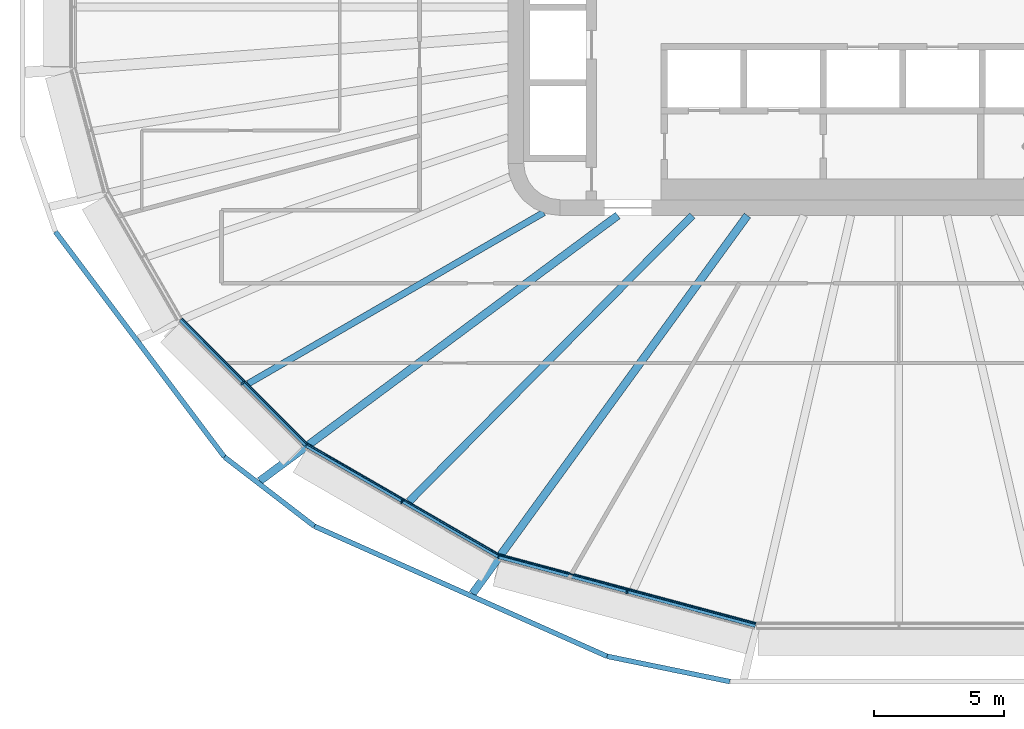
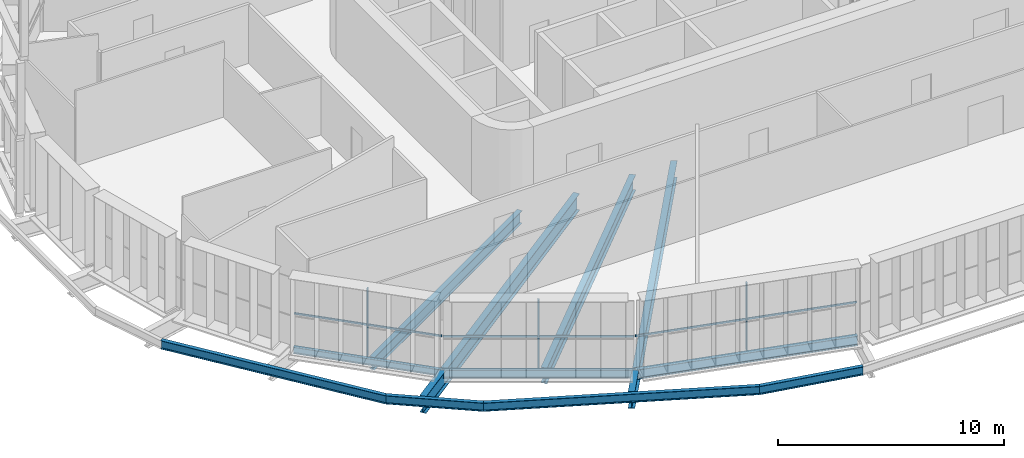
# One storey, part 1 of 25: 11 beams, 6 members, 3 elements without a shape of their own.
"""IFC4 building model written with IfcOpenShell, lengths in metres."""

import ifcopenshell
import ifcopenshell.guid

model = None  # the IFC model being written
_history = None  # IfcOwnerHistory: only IFC2X3 demands one
_inside = {}  # id of a spatial element -> (the spatial element, [elements in it])
_under = {}  # id of a project, library or spatial element -> (it, [spatial elements below it])
_declared = {}  # id of a project -> (the project, [libraries it declares])
_typed = {}  # id of a type object -> (the type object, [elements of that type])
_made_of = {}  # id of a material, layer set ... -> (it, [elements and type objects made of it])


def new_model(schema):
    """Start an empty IFC model of exactly this schema.

    Asked for "IFC4X3", IfcOpenShell would pick the latest addendum, in which some entities
    have other attributes; the version numbers below select the first issue.
    IFC2X3 requires an IfcOwnerHistory on every rooted entity: one is made here for all.
    """
    global model, _history
    if schema == "IFC4X3":
        model = ifcopenshell.file(schema_version=(4, 3, 0, 0))
    else:
        model = ifcopenshell.file(schema=schema)
    _inside.clear()
    _under.clear()
    _declared.clear()
    _typed.clear()
    _made_of.clear()
    _history = None
    if model.schema == "IFC2X3":
        org = make("IfcOrganization", Name="unknown")
        user = make(
            "IfcPersonAndOrganization",
            ThePerson=make("IfcPerson", FamilyName="unknown"),
            TheOrganization=org,
        )
        app = make(
            "IfcApplication",
            ApplicationDeveloper=org,
            Version="unknown",
            ApplicationFullName="unknown",
            ApplicationIdentifier="unknown",
        )
        _history = make(
            "IfcOwnerHistory",
            OwningUser=user,
            OwningApplication=app,
            ChangeAction="ADDED",
            CreationDate=0,
        )
    return model


def make(cls, **values):
    """One entity of the class cls with the attributes given. An attribute that is None is left unset."""
    return model.create_entity(
        cls, **{name: value for name, value in values.items() if value is not None}
    )


def rooted(cls, **values):
    """An entity with a GlobalId (a new one), such as an element, a storey or a relation."""
    return make(cls, GlobalId=ifcopenshell.guid.new(), OwnerHistory=_history, **values)


def si_unit(unit_type, name, prefix=None):
    """IfcSIUnit, for example si_unit("LENGTHUNIT", "METRE", prefix="MILLI")."""
    return make("IfcSIUnit", UnitType=unit_type, Prefix=prefix, Name=name)


def assignment(units):
    """IfcUnitAssignment: the units of a project."""
    return None if units is None else make("IfcUnitAssignment", Units=units)


def point(xyz):
    """IfcCartesianPoint."""
    return None if xyz is None else make("IfcCartesianPoint", Coordinates=xyz)


def direction(xyz):
    """IfcDirection."""
    return None if xyz is None else make("IfcDirection", DirectionRatios=xyz)


def frame(location, z_axis=None, x_axis=None):
    """IfcAxis2Placement3D, a coordinate frame: its origin and axes. An axis left out is left unset."""
    return make(
        "IfcAxis2Placement3D",
        Location=point(location),
        Axis=direction(z_axis),
        RefDirection=direction(x_axis),
    )


def frame_2d(location, x_axis=None):
    """IfcAxis2Placement2D, a coordinate frame in the plane: its origin and x axis."""
    return make(
        "IfcAxis2Placement2D", Location=point(location), RefDirection=direction(x_axis)
    )


def origin():
    """The frame at (0, 0, 0) with its axes left unset."""
    return frame((0.0, 0.0, 0.0))


def origin_2d():
    """The frame at (0, 0) in the plane with its x axis left unset."""
    return frame_2d((0.0, 0.0))


def place(relative_to, where):
    """IfcLocalPlacement: puts the frame where relative to a parent placement (None: the world)."""
    return make(
        "IfcLocalPlacement", PlacementRelTo=relative_to, RelativePlacement=where
    )


def context(
    kind, dimensions, precision=None, world=None, true_north=None, identifier=None
):
    """IfcGeometricRepresentationContext, for example the 3D "Model" context."""
    return make(
        "IfcGeometricRepresentationContext",
        ContextIdentifier=identifier,
        ContextType=kind,
        CoordinateSpaceDimension=dimensions,
        Precision=precision,
        WorldCoordinateSystem=world,
        TrueNorth=true_north,
    )


def subcontext(parent, identifier, kind, view, scale=None):
    """IfcGeometricRepresentationSubContext, for example "Body" below "Model"."""
    return make(
        "IfcGeometricRepresentationSubContext",
        ContextIdentifier=identifier,
        ContextType=kind,
        ParentContext=parent,
        TargetScale=scale,
        TargetView=view,
    )


def project(units=None, contexts=None):
    """IfcProject with its units and contexts."""
    return rooted(
        "IfcProject",
        Name="project",
        RepresentationContexts=contexts,
        UnitsInContext=assignment(units),
    )


def spatial(cls, under=None, at=None, **own):
    """A site, building, storey or space (cls), placed at a placement, below another one or the project."""
    s = rooted(cls, ObjectPlacement=at, **own)
    if under is not None:
        _under.setdefault(under.id(), (under, []))[1].append(s)
    return s


def profile(cls, at=None, kind="AREA", **sizes):
    """A parametric profile (cls). Its sizes go by their IFC names, for example OverallWidth=200.0."""
    return make(cls, ProfileType=kind, Position=at, **sizes)


def rectangle(**sizes):
    """IfcRectangleProfileDef."""
    return profile("IfcRectangleProfileDef", **sizes)


def i_section(**sizes):
    """IfcIShapeProfileDef."""
    return profile("IfcIShapeProfileDef", **sizes)


def extrude(swept, where, along, depth):
    """IfcExtrudedAreaSolid: the profile swept, set in the frame where, extruded along a direction by depth."""
    return make(
        "IfcExtrudedAreaSolid",
        SweptArea=swept,
        Position=where,
        ExtrudedDirection=direction(along),
        Depth=depth,
    )


def shape(context_of_items, identifier, shape_type, items):
    """IfcShapeRepresentation: the items that make up one representation, for example the "Body"."""
    return make(
        "IfcShapeRepresentation",
        ContextOfItems=context_of_items,
        RepresentationIdentifier=identifier,
        RepresentationType=shape_type,
        Items=items,
    )


def material(Name=None, Category=None):
    """IfcMaterial."""
    return make("IfcMaterial", Name=Name, Category=Category)


def layer(
    of_material, thickness, ventilated=None, Name=None, Category=None, Priority=None
):
    """IfcMaterialLayer: one layer of a wall or slab, of a material (None: an air gap)."""
    return make(
        "IfcMaterialLayer",
        Material=of_material,
        LayerThickness=thickness,
        IsVentilated=ventilated,
        Name=Name,
        Category=Category,
        Priority=Priority,
    )


def layer_set(layers, Name=None):
    """IfcMaterialLayerSet."""
    return make("IfcMaterialLayerSet", MaterialLayers=layers, LayerSetName=Name)


def material_profile(
    of_material, cross_section, Name=None, Category=None, Priority=None
):
    """IfcMaterialProfile: a cross section and its material."""
    return make(
        "IfcMaterialProfile",
        Name=Name,
        Material=of_material,
        Profile=cross_section,
        Priority=Priority,
        Category=Category,
    )


def profile_set(profiles, Name=None, composite=None):
    """IfcMaterialProfileSet."""
    return make(
        "IfcMaterialProfileSet",
        Name=Name,
        MaterialProfiles=profiles,
        CompositeProfile=composite,
    )


def made_of(thing, what):
    """Note that an element or type object is made of a material, layer set ...; save() writes the relation."""
    if what is not None:
        _made_of.setdefault(what.id(), (what, []))[1].append(thing)
    return thing


def type_object(cls, material=None, **own):
    """A type object (cls), such as IfcWallType, which elements share."""
    return made_of(rooted(cls, **own), material)


def element(
    cls,
    number,
    at=None,
    inside=None,
    cuts=None,
    type_object=None,
    material=None,
    context=None,
    identifier="Body",
    shape_type=None,
    held_by="IfcProductDefinitionShape",
    body=None,
    shapes=None,
    **own,
):
    """One element of the class cls, such as IfcWall. Its Tag is "e" and its number.

    at: its placement. inside: the storey or other place that contains it. cuts: it is an
    opening in that element (IfcRelVoidsElement). A single representation is given by context,
    identifier, shape_type and body (its items); several are given by shapes. held_by: the class
    of the entity that holds the representations. save() writes the other relations.
    """
    e = rooted(cls, Tag="e%d" % number, ObjectPlacement=at, **own)
    if body is not None:
        shapes = [shape(context, identifier, shape_type, body)]
    if shapes is not None:
        e.Representation = make(held_by, Representations=shapes)
    if inside is not None:
        _inside.setdefault(inside.id(), (inside, []))[1].append(e)
    if cuts is not None:
        rooted(
            "IfcRelVoidsElement", RelatingBuildingElement=cuts, RelatedOpeningElement=e
        )
    if type_object is not None:
        _typed.setdefault(type_object.id(), (type_object, []))[1].append(e)
    return made_of(e, material)


def aggregate(whole, parts):
    """IfcRelAggregates: a whole, such as a stair, and the parts it consists of."""
    return rooted("IfcRelAggregates", RelatingObject=whole, RelatedObjects=parts)


def save(model, path):
    """Write the relations noted so far, then the file.

    IfcRelAggregates (storeys below a building ...), IfcRelContainedInSpatialStructure (elements
    in a storey), IfcRelDefinesByType, IfcRelAssociatesMaterial and IfcRelDeclares: one each for
    every whole, place, type object, material and project.
    """
    for whole, parts in _under.values():
        aggregate(whole, parts)
    for where, things in _inside.values():
        rooted(
            "IfcRelContainedInSpatialStructure",
            RelatedElements=things,
            RelatingStructure=where,
        )
    for kind, things in _typed.values():
        rooted("IfcRelDefinesByType", RelatedObjects=things, RelatingType=kind)
    for what, things in _made_of.values():
        rooted("IfcRelAssociatesMaterial", RelatedObjects=things, RelatingMaterial=what)
    for by, libraries in _declared.values():
        rooted("IfcRelDeclares", RelatingContext=by, RelatedDefinitions=libraries)
    model.write(path)


model = new_model("IFC4")

# Units and contexts
model_context = context("Model", 3, precision=1e-05, world=origin(), true_north=direction((0.0, 1.0)))
body_context = subcontext(model_context, "Body", "Model", "MODEL_VIEW")
ifc_project = project(units=[si_unit("LENGTHUNIT", "METRE"), si_unit("AREAUNIT", "SQUARE_METRE"), si_unit("VOLUMEUNIT", "CUBIC_METRE"), si_unit("PLANEANGLEUNIT", "RADIAN"), si_unit("MASSUNIT", "GRAM", prefix="KILO")], contexts=[model_context])

# Site, building, storey
site_placement = place(None, origin())
site = spatial("IfcSite", under=ifc_project, at=site_placement, CompositionType="ELEMENT")
building_placement = place(site_placement, origin())
building = spatial("IfcBuilding", under=site, at=building_placement, Name="Sahrelin Media Tower", CompositionType="ELEMENT")
storey_placement = place(building_placement, frame((0.0, 0.0, 127.199951171875)))
storey = spatial("IfcBuildingStorey", under=building, at=storey_placement, Name="L25", CompositionType="ELEMENT", Elevation=127.199951171875)

# Beams
ifc_material_1 = material(Name="Steel S355", Category="steel")
ifc_material_profile_1 = material_profile(ifc_material_1, i_section(OverallWidth=0.17138671875, OverallDepth=0.35498046875, WebThickness=0.00732421875, FlangeThickness=0.011474609375, FilletRadius=0.01025390625, at=origin_2d()), Name="UB 356x171x51")
ifc_profile_set_1 = profile_set([ifc_material_profile_1], Name="Steel S355")
beam_type_1 = type_object("IfcBeamType", Name="Edge beam EB3", PredefinedType="BEAM", material=ifc_profile_set_1)
beam_1_placement = place(storey_placement, frame((-22.74609375, -16.79931640625, -0.327392578125), z_axis=(-0.707088830897, 0.70712473102, 0.0), x_axis=(-0.70712473102, -0.707088830897, 0.0)))
element("IfcBeam", 1, at=beam_1_placement, inside=storey, type_object=beam_type_1, Name="Edge beam L25-10", PredefinedType="BEAM", context=body_context, shape_type="SweptSolid", body=[
    extrude(i_section(OverallWidth=0.17138671875, OverallDepth=0.35498046875, WebThickness=0.00732421875, FlangeThickness=0.011474609375, FilletRadius=0.01025390625, at=origin_2d()), origin(), (0.0, 0.0, 1.0), 6.800537109375),
])
ifc_material_profile_2 = material_profile(ifc_material_1, i_section(OverallWidth=0.1904296875, OverallDepth=0.45703125, WebThickness=0.009033203125, FlangeThickness=0.014404296875, FilletRadius=0.01025390625, at=origin_2d()), Name="UB 457x191x74")
ifc_profile_set_2 = profile_set([ifc_material_profile_2], Name="Steel S355")
beam_type_2 = type_object("IfcBeamType", Name="Edge beam EB5", PredefinedType="BEAM", material=ifc_profile_set_2)
beam_2_placement = place(storey_placement, frame((-15.368896484375, -21.062744140625, -0.37841796875), z_axis=(-0.866031904094, 0.499988740965, 0.0), x_axis=(-0.499988740965, -0.866031904094, 0.0)))
element("IfcBeam", 2, at=beam_2_placement, inside=storey, type_object=beam_type_2, Name="Edge beam L25-09", PredefinedType="BEAM", context=body_context, shape_type="SweptSolid", body=[
    extrude(i_section(OverallWidth=0.1904296875, OverallDepth=0.45703125, WebThickness=0.009033203125, FlangeThickness=0.014404296875, FilletRadius=0.01025390625, at=origin_2d()), origin(), (0.0, 0.0, 1.0), 8.491943359375),
])
ifc_material_profile_3 = material_profile(ifc_material_1, i_section(OverallWidth=0.208740234375, OverallDepth=0.5283203125, WebThickness=0.009521484375, FlangeThickness=0.01318359375, FilletRadius=0.0126953125, at=origin_2d()), Name="UB 533x210x82")
ifc_profile_set_3 = profile_set([ifc_material_profile_3], Name="Steel S355")
beam_type_3 = type_object("IfcBeamType", Name="Edge beam EB6", PredefinedType="BEAM", material=ifc_profile_set_3)
beam_3_placement = place(storey_placement, frame((-5.50048828125, -23.7109375, -0.4140625), z_axis=(-0.965923237506, 0.258828706379, 0.0), x_axis=(-0.258828706379, -0.965923237506, 0.0)))
element("IfcBeam", 3, at=beam_3_placement, inside=storey, type_object=beam_type_3, Name="Edge beam L25-08", PredefinedType="BEAM", context=body_context, shape_type="SweptSolid", body=[
    extrude(i_section(OverallWidth=0.208740234375, OverallDepth=0.5283203125, WebThickness=0.009521484375, FlangeThickness=0.01318359375, FilletRadius=0.0126953125, at=origin_2d()), origin(), (0.0, 0.0, 1.0), 10.18896484375),
])

# Curtain wall, member
ifc_material_2 = material(Name="Champagne anodised aluminium 6063-T6", Category="aluminium")
ifc_layer = layer(ifc_material_2, 0.14990234375)
ifc_layer_set = layer_set([ifc_layer], Name="Tower ribbon curtain wall")
curtain_wall_type = type_object("IfcCurtainWallType", Name="Tower ribbon curtain wall", PredefinedType="NOTDEFINED", material=ifc_layer_set)
curtain_wall_1_placement = place(storey_placement, frame((-25.25634765625, -14.5009765625, 0.0), z_axis=(0.0, 0.0, 1.0), x_axis=(1.0, 0.0, 0.0)))
curtain_wall_1 = element("IfcCurtainWall", 4, at=curtain_wall_1_placement, inside=storey, type_object=curtain_wall_type, Name="L25:CW:L25-15", PredefinedType="NOTDEFINED")
ifc_material_profile_4 = material_profile(ifc_material_2, rectangle(XDim=0.06005859375, YDim=0.14990234375, at=origin_2d()), Name="Mullion 60x150")
ifc_profile_set_4 = profile_set([ifc_material_profile_4], Name="Champagne anodised aluminium 6063-T6")
member_type_1 = type_object("IfcMemberType", Name="Mullion 60x150 CW1", PredefinedType="MULLION", material=ifc_profile_set_4)
member_1_placement = place(storey_placement, frame((-25.189208984375, -14.433837890625, 0.0), z_axis=(0.0, 0.0, 1.0), x_axis=(0.707099376343, -0.707114185953, 0.0)))
member_1 = element("IfcMember", 5, at=member_1_placement, type_object=member_type_1, Name="L25:CWM:L25-15", PredefinedType="MULLION", context=body_context, shape_type="SweptSolid", body=[
    extrude(rectangle(XDim=0.06005859375, YDim=0.14990234375, at=origin_2d()), origin(), (0.0, 0.0, 1.0), 3.648681640625),
])

curtain_wall_2_placement = place(storey_placement, frame((-19.12109375, -19.069580078125, 0.0), z_axis=(0.0, 0.0, 1.0), x_axis=(1.0, 0.0, 0.0)))
curtain_wall_2 = element("IfcCurtainWall", 6, at=curtain_wall_2_placement, inside=storey, type_object=curtain_wall_type, Name="L25:CW:L25-16", PredefinedType="NOTDEFINED")
member_2_placement = place(storey_placement, frame((-19.073486328125, -18.9873046875, 0.0), z_axis=(0.0, 0.0, 1.0), x_axis=(0.866028021766, -0.499995465495, 0.0)))
member_2 = element("IfcMember", 7, at=member_2_placement, type_object=member_type_1, Name="L25:CWM:L25-16", PredefinedType="MULLION", context=body_context, shape_type="SweptSolid", body=[
    extrude(rectangle(XDim=0.06005859375, YDim=0.14990234375, at=origin_2d()), origin(), (0.0, 0.0, 1.0), 3.648681640625),
])

curtain_wall_3_placement = place(storey_placement, frame((-10.460205078125, -22.537353515625, 0.0), z_axis=(0.0, 0.0, 1.0), x_axis=(1.0, 0.0, 0.0)))
curtain_wall_3 = element("IfcCurtainWall", 8, at=curtain_wall_3_placement, inside=storey, type_object=curtain_wall_type, Name="L25:CW:L25-17", PredefinedType="NOTDEFINED")
member_3_placement = place(storey_placement, frame((-10.435546875, -22.445556640625, 0.0), z_axis=(0.0, 0.0, 1.0), x_axis=(0.965924471102, -0.258824102675, 0.0)))
member_3 = element("IfcMember", 9, at=member_3_placement, type_object=member_type_1, Name="L25:CWM:L25-17", PredefinedType="MULLION", context=body_context, shape_type="SweptSolid", body=[
    extrude(rectangle(XDim=0.06005859375, YDim=0.14990234375, at=origin_2d()), origin(), (0.0, 0.0, 1.0), 3.648681640625),
])

# Beams
ifc_material_profile_5 = material_profile(ifc_material_1, i_section(OverallWidth=0.30322265625, OverallDepth=0.903076171875, WebThickness=0.01513671875, FlangeThickness=0.020263671875, FilletRadius=0.01904296875, at=origin_2d()), Name="UB 914x305x201")
ifc_profile_set_5 = profile_set([ifc_material_profile_5], Name="Steel S355")
beam_type_4 = type_object("IfcBeamType", Name="Radial primary beam PB11", PredefinedType="BEAM", material=ifc_profile_set_5)
beam_4_placement = place(storey_placement, frame((-10.787109375, -8.0, -0.6015625), z_axis=(-0.803218064417, -0.595685102209, 0.0), x_axis=(0.595685102209, -0.803218064417, 0.0)))
element("IfcBeam", 10, at=beam_4_placement, inside=storey, type_object=beam_type_4, Name="Radial beam L25-16", PredefinedType="BEAM", context=body_context, shape_type="SweptSolid", body=[
    extrude(i_section(OverallWidth=0.30322265625, OverallDepth=0.903076171875, WebThickness=0.01513671875, FlangeThickness=0.020263671875, FilletRadius=0.01904296875, at=origin_2d()), origin(), (0.0, 0.0, 1.0), 17.1083984375),
])
beam_5_placement = place(storey_placement, frame((-5.81396484375, -8.0, -0.6015625), z_axis=(-0.587892585931, -0.808939001042, 0.0), x_axis=(0.808939001042, -0.587892585931, 0.0)))
element("IfcBeam", 11, at=beam_5_placement, inside=storey, type_object=beam_type_4, Name="Radial beam L25-17", PredefinedType="BEAM", context=body_context, shape_type="SweptSolid", body=[
    extrude(i_section(OverallWidth=0.30322265625, OverallDepth=0.903076171875, WebThickness=0.01513671875, FlangeThickness=0.020263671875, FilletRadius=0.01904296875, at=origin_2d()), origin(), (0.0, 0.0, 1.0), 17.945556640625),
])
ifc_material_profile_6 = material_profile(ifc_material_1, i_section(OverallWidth=0.291748046875, OverallDepth=0.8349609375, WebThickness=0.013916015625, FlangeThickness=0.018798828125, FilletRadius=0.017822265625, at=origin_2d()), Name="UB 838x292x176")
ifc_profile_set_6 = profile_set([ifc_material_profile_6], Name="Steel S355")
beam_type_5 = type_object("IfcBeamType", Name="Radial secondary beam SB10", PredefinedType="BEAM", material=ifc_profile_set_6)
beam_6_placement = place(storey_placement, frame((-7.923095703125, -8.0, -0.5673828125), z_axis=(-0.703676841458, -0.710520163539, 0.0), x_axis=(0.710520163539, -0.703676841458, 0.0)))
element("IfcBeam", 12, at=beam_6_placement, inside=storey, type_object=beam_type_5, Name="Secondary beam L25-12", PredefinedType="BEAM", context=body_context, shape_type="SweptSolid", body=[
    extrude(i_section(OverallWidth=0.291748046875, OverallDepth=0.8349609375, WebThickness=0.013916015625, FlangeThickness=0.018798828125, FilletRadius=0.017822265625, at=origin_2d()), origin(), (0.0, 0.0, 1.0), 15.447509765625),
])
ifc_material_profile_7 = material_profile(ifc_material_1, i_section(OverallWidth=0.2529296875, OverallDepth=0.677978515625, WebThickness=0.01171875, FlangeThickness=0.01611328125, FilletRadius=0.01513671875, at=origin_2d()), Name="UB 686x254x125")
ifc_profile_set_7 = profile_set([ifc_material_profile_7], Name="Steel S355")
beam_type_6 = type_object("IfcBeamType", Name="Radial secondary beam SB8", PredefinedType="BEAM", material=ifc_profile_set_7)
beam_7_placement = place(storey_placement, frame((-13.626708984375, -7.88671875, -0.48876953125), z_axis=(-0.86549046437, -0.50092539972, 0.0), x_axis=(0.50092539972, -0.86549046437, 0.0)))
element("IfcBeam", 13, at=beam_7_placement, inside=storey, type_object=beam_type_6, Name="Secondary beam L25-11", PredefinedType="BEAM", context=body_context, shape_type="SweptSolid", body=[
    extrude(i_section(OverallWidth=0.2529296875, OverallDepth=0.677978515625, WebThickness=0.01171875, FlangeThickness=0.01611328125, FilletRadius=0.01513671875, at=origin_2d()), origin(), (0.0, 0.0, 1.0), 13.107666015625),
])
ifc_material_profile_8 = material_profile(ifc_material_1, i_section(OverallWidth=0.1904296875, OverallDepth=0.45703125, WebThickness=0.009033203125, FlangeThickness=0.014404296875, FilletRadius=0.01025390625, at=origin_2d()), Name="UB 457x191x74")
ifc_profile_set_8 = profile_set([ifc_material_profile_8], Name="Steel S355")
beam_type_7 = type_object("IfcBeamType", Name="Tie chord TC5", PredefinedType="BEAM", material=ifc_profile_set_8)
beam_8_placement = place(storey_placement, frame((-32.37109375, -8.62060546875, -0.37841796875), z_axis=(0.600050592143, -0.799962053393, 0.0), x_axis=(0.799962053393, 0.600050592143, 0.0)))
element("IfcBeam", 14, at=beam_8_placement, inside=storey, type_object=beam_type_7, Name="Tie chord L25-14", PredefinedType="BEAM", context=body_context, shape_type="SweptSolid", body=[
    extrude(i_section(OverallWidth=0.1904296875, OverallDepth=0.45703125, WebThickness=0.009033203125, FlangeThickness=0.014404296875, FilletRadius=0.01025390625, at=origin_2d()), origin(), (0.0, 0.0, 1.0), 10.809326171875),
])
beam_9_placement = place(storey_placement, frame((-25.885009765625, -17.267578125, -0.37841796875), z_axis=(0.792463481289, -0.609919364198, 0.0), x_axis=(0.609919364198, 0.792463481289, 0.0)))
element("IfcBeam", 15, at=beam_9_placement, inside=storey, type_object=beam_type_7, Name="Tie chord L25-15", PredefinedType="BEAM", context=body_context, shape_type="SweptSolid", body=[
    extrude(i_section(OverallWidth=0.1904296875, OverallDepth=0.45703125, WebThickness=0.009033203125, FlangeThickness=0.014404296875, FilletRadius=0.01025390625, at=origin_2d()), origin(), (0.0, 0.0, 1.0), 4.354736328125),
])
beam_10_placement = place(storey_placement, frame((-22.43408203125, -19.923583984375, -0.37841796875), z_axis=(0.913827107838, -0.406103456007, 0.0), x_axis=(0.406103456007, 0.913827107838, 0.0)))
element("IfcBeam", 16, at=beam_10_placement, inside=storey, type_object=beam_type_7, Name="Tie chord L25-16", PredefinedType="BEAM", context=body_context, shape_type="SweptSolid", body=[
    extrude(i_section(OverallWidth=0.1904296875, OverallDepth=0.45703125, WebThickness=0.009033203125, FlangeThickness=0.014404296875, FilletRadius=0.01025390625, at=origin_2d()), origin(), (0.0, 0.0, 1.0), 12.29345703125),
])
beam_11_placement = place(storey_placement, frame((-11.199951171875, -24.916015625, -0.37841796875), z_axis=(0.979388624661, -0.201984954599, 0.0), x_axis=(0.201984954599, 0.979388624661, 0.0)))
element("IfcBeam", 17, at=beam_11_placement, inside=storey, type_object=beam_type_7, Name="Tie chord L25-17", PredefinedType="BEAM", context=body_context, shape_type="SweptSolid", body=[
    extrude(i_section(OverallWidth=0.1904296875, OverallDepth=0.45703125, WebThickness=0.009033203125, FlangeThickness=0.014404296875, FilletRadius=0.01025390625, at=origin_2d()), origin(), (0.0, 0.0, 1.0), 4.81298828125),
])

# Member
ifc_material_profile_9 = material_profile(ifc_material_2, rectangle(XDim=0.050048828125, YDim=0.10009765625, at=origin_2d()), Name="Transom 50x100")
ifc_profile_set_9 = profile_set([ifc_material_profile_9], Name="Champagne anodised aluminium 6063-T6")
member_type_2 = type_object("IfcMemberType", Name="Transom 50x100 CW1", PredefinedType="USERDEFINED", material=ifc_profile_set_9)
member_4_placement = place(storey_placement, frame((-27.51171875, -11.969970703125, 1.60009765625), z_axis=(0.707106781187, -0.707106781187, 0.0), x_axis=(0.707106781187, 0.707106781187, 0.0)))
member_4 = element("IfcMember", 18, at=member_4_placement, type_object=member_type_2, Name="L25:CWT:L25-15", ObjectType="TRANSOM", PredefinedType="USERDEFINED", context=body_context, shape_type="SweptSolid", body=[
    extrude(rectangle(XDim=0.050048828125, YDim=0.10009765625, at=origin_2d()), origin(), (0.0, 0.0, 1.0), 6.76904296875),
])

aggregate(curtain_wall_1, [member_1, member_4])

member_5_placement = place(storey_placement, frame((-22.68701171875, -16.78564453125, 1.60009765625), z_axis=(0.866023641037, -0.500003053156, 0.0), x_axis=(0.500003053156, 0.866023641037, 0.0)))
member_5 = element("IfcMember", 19, at=member_5_placement, type_object=member_type_2, Name="L25:CWT:L25-16", ObjectType="TRANSOM", PredefinedType="USERDEFINED", context=body_context, shape_type="SweptSolid", body=[
    extrude(rectangle(XDim=0.050048828125, YDim=0.10009765625, at=origin_2d()), origin(), (0.0, 0.0, 1.0), 8.46044921875),
])

aggregate(curtain_wall_2, [member_2, member_5])

member_6_placement = place(storey_placement, frame((-15.3154296875, -21.034423828125, 1.60009765625), z_axis=(0.965927882145, -0.258811372423, 0.0), x_axis=(0.258811372423, 0.965927882145, 0.0)))
member_6 = element("IfcMember", 20, at=member_6_placement, type_object=member_type_2, Name="L25:CWT:L25-17", ObjectType="TRANSOM", PredefinedType="USERDEFINED", context=body_context, shape_type="SweptSolid", body=[
    extrude(rectangle(XDim=0.050048828125, YDim=0.10009765625, at=origin_2d()), origin(), (0.0, 0.0, 1.0), 10.15771484375),
])

aggregate(curtain_wall_3, [member_3, member_6])

save(model, "model.ifc")
